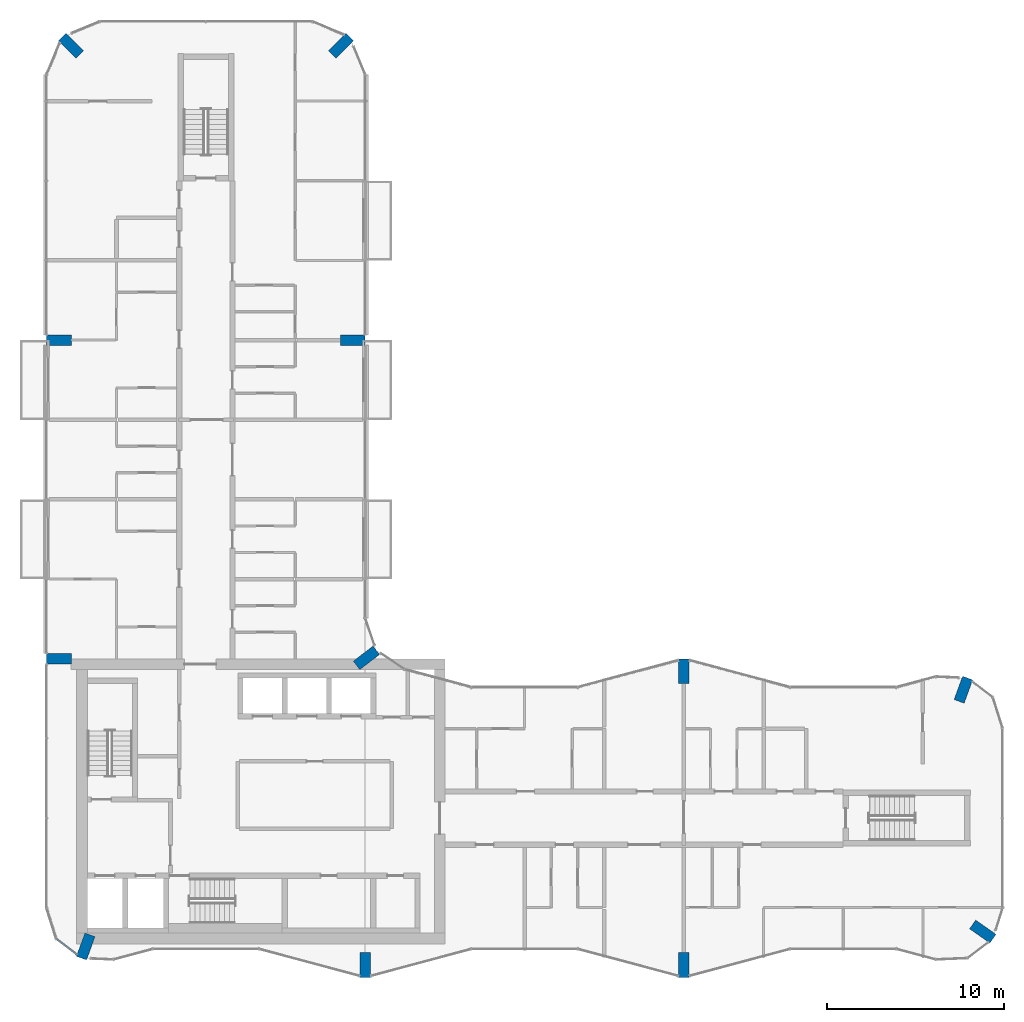
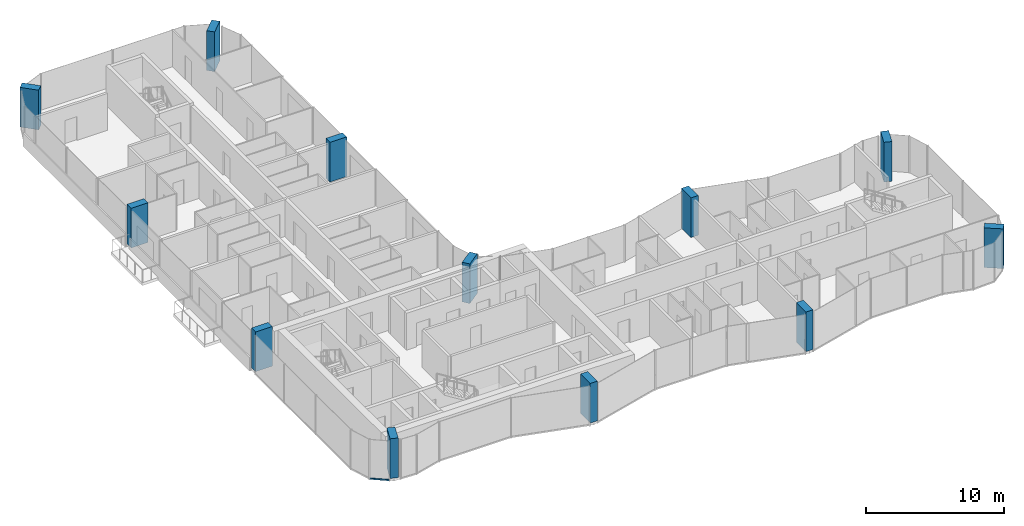
# One storey, part 1 of 17: 12 columns, 1 member, 1 element without a shape of its own.
"""IFC4 building model written with IfcOpenShell, lengths in metres."""

import ifcopenshell
import ifcopenshell.guid

model = None  # the IFC model being written
_history = None  # IfcOwnerHistory: only IFC2X3 demands one
_inside = {}  # id of a spatial element -> (the spatial element, [elements in it])
_under = {}  # id of a project, library or spatial element -> (it, [spatial elements below it])
_declared = {}  # id of a project -> (the project, [libraries it declares])
_typed = {}  # id of a type object -> (the type object, [elements of that type])
_made_of = {}  # id of a material, layer set ... -> (it, [elements and type objects made of it])


def new_model(schema):
    """Start an empty IFC model of exactly this schema.

    Asked for "IFC4X3", IfcOpenShell would pick the latest addendum, in which some entities
    have other attributes; the version numbers below select the first issue.
    IFC2X3 requires an IfcOwnerHistory on every rooted entity: one is made here for all.
    """
    global model, _history
    if schema == "IFC4X3":
        model = ifcopenshell.file(schema_version=(4, 3, 0, 0))
    else:
        model = ifcopenshell.file(schema=schema)
    _inside.clear()
    _under.clear()
    _declared.clear()
    _typed.clear()
    _made_of.clear()
    _history = None
    if model.schema == "IFC2X3":
        org = make("IfcOrganization", Name="unknown")
        user = make(
            "IfcPersonAndOrganization",
            ThePerson=make("IfcPerson", FamilyName="unknown"),
            TheOrganization=org,
        )
        app = make(
            "IfcApplication",
            ApplicationDeveloper=org,
            Version="unknown",
            ApplicationFullName="unknown",
            ApplicationIdentifier="unknown",
        )
        _history = make(
            "IfcOwnerHistory",
            OwningUser=user,
            OwningApplication=app,
            ChangeAction="ADDED",
            CreationDate=0,
        )
    return model


def make(cls, **values):
    """One entity of the class cls with the attributes given. An attribute that is None is left unset."""
    return model.create_entity(
        cls, **{name: value for name, value in values.items() if value is not None}
    )


def rooted(cls, **values):
    """An entity with a GlobalId (a new one), such as an element, a storey or a relation."""
    return make(cls, GlobalId=ifcopenshell.guid.new(), OwnerHistory=_history, **values)


def si_unit(unit_type, name, prefix=None):
    """IfcSIUnit, for example si_unit("LENGTHUNIT", "METRE", prefix="MILLI")."""
    return make("IfcSIUnit", UnitType=unit_type, Prefix=prefix, Name=name)


def assignment(units):
    """IfcUnitAssignment: the units of a project."""
    return None if units is None else make("IfcUnitAssignment", Units=units)


def point(xyz):
    """IfcCartesianPoint."""
    return None if xyz is None else make("IfcCartesianPoint", Coordinates=xyz)


def direction(xyz):
    """IfcDirection."""
    return None if xyz is None else make("IfcDirection", DirectionRatios=xyz)


def frame(location, z_axis=None, x_axis=None):
    """IfcAxis2Placement3D, a coordinate frame: its origin and axes. An axis left out is left unset."""
    return make(
        "IfcAxis2Placement3D",
        Location=point(location),
        Axis=direction(z_axis),
        RefDirection=direction(x_axis),
    )


def frame_2d(location, x_axis=None):
    """IfcAxis2Placement2D, a coordinate frame in the plane: its origin and x axis."""
    return make(
        "IfcAxis2Placement2D", Location=point(location), RefDirection=direction(x_axis)
    )


def origin():
    """The frame at (0, 0, 0) with its axes left unset."""
    return frame((0.0, 0.0, 0.0))


def origin_2d():
    """The frame at (0, 0) in the plane with its x axis left unset."""
    return frame_2d((0.0, 0.0))


def place(relative_to, where):
    """IfcLocalPlacement: puts the frame where relative to a parent placement (None: the world)."""
    return make(
        "IfcLocalPlacement", PlacementRelTo=relative_to, RelativePlacement=where
    )


def context(
    kind, dimensions, precision=None, world=None, true_north=None, identifier=None
):
    """IfcGeometricRepresentationContext, for example the 3D "Model" context."""
    return make(
        "IfcGeometricRepresentationContext",
        ContextIdentifier=identifier,
        ContextType=kind,
        CoordinateSpaceDimension=dimensions,
        Precision=precision,
        WorldCoordinateSystem=world,
        TrueNorth=true_north,
    )


def subcontext(parent, identifier, kind, view, scale=None):
    """IfcGeometricRepresentationSubContext, for example "Body" below "Model"."""
    return make(
        "IfcGeometricRepresentationSubContext",
        ContextIdentifier=identifier,
        ContextType=kind,
        ParentContext=parent,
        TargetScale=scale,
        TargetView=view,
    )


def project(units=None, contexts=None):
    """IfcProject with its units and contexts."""
    return rooted(
        "IfcProject",
        Name="project",
        RepresentationContexts=contexts,
        UnitsInContext=assignment(units),
    )


def spatial(cls, under=None, at=None, **own):
    """A site, building, storey or space (cls), placed at a placement, below another one or the project."""
    s = rooted(cls, ObjectPlacement=at, **own)
    if under is not None:
        _under.setdefault(under.id(), (under, []))[1].append(s)
    return s


def profile(cls, at=None, kind="AREA", **sizes):
    """A parametric profile (cls). Its sizes go by their IFC names, for example OverallWidth=200.0."""
    return make(cls, ProfileType=kind, Position=at, **sizes)


def rectangle(**sizes):
    """IfcRectangleProfileDef."""
    return profile("IfcRectangleProfileDef", **sizes)


def extrude(swept, where, along, depth):
    """IfcExtrudedAreaSolid: the profile swept, set in the frame where, extruded along a direction by depth."""
    return make(
        "IfcExtrudedAreaSolid",
        SweptArea=swept,
        Position=where,
        ExtrudedDirection=direction(along),
        Depth=depth,
    )


def shape(context_of_items, identifier, shape_type, items):
    """IfcShapeRepresentation: the items that make up one representation, for example the "Body"."""
    return make(
        "IfcShapeRepresentation",
        ContextOfItems=context_of_items,
        RepresentationIdentifier=identifier,
        RepresentationType=shape_type,
        Items=items,
    )


def material(Name=None, Category=None):
    """IfcMaterial."""
    return make("IfcMaterial", Name=Name, Category=Category)


def layer(
    of_material, thickness, ventilated=None, Name=None, Category=None, Priority=None
):
    """IfcMaterialLayer: one layer of a wall or slab, of a material (None: an air gap)."""
    return make(
        "IfcMaterialLayer",
        Material=of_material,
        LayerThickness=thickness,
        IsVentilated=ventilated,
        Name=Name,
        Category=Category,
        Priority=Priority,
    )


def layer_set(layers, Name=None):
    """IfcMaterialLayerSet."""
    return make("IfcMaterialLayerSet", MaterialLayers=layers, LayerSetName=Name)


def material_profile(
    of_material, cross_section, Name=None, Category=None, Priority=None
):
    """IfcMaterialProfile: a cross section and its material."""
    return make(
        "IfcMaterialProfile",
        Name=Name,
        Material=of_material,
        Profile=cross_section,
        Priority=Priority,
        Category=Category,
    )


def profile_set(profiles, Name=None, composite=None):
    """IfcMaterialProfileSet."""
    return make(
        "IfcMaterialProfileSet",
        Name=Name,
        MaterialProfiles=profiles,
        CompositeProfile=composite,
    )


def made_of(thing, what):
    """Note that an element or type object is made of a material, layer set ...; save() writes the relation."""
    if what is not None:
        _made_of.setdefault(what.id(), (what, []))[1].append(thing)
    return thing


def type_object(cls, material=None, **own):
    """A type object (cls), such as IfcWallType, which elements share."""
    return made_of(rooted(cls, **own), material)


def element(
    cls,
    number,
    at=None,
    inside=None,
    cuts=None,
    type_object=None,
    material=None,
    context=None,
    identifier="Body",
    shape_type=None,
    held_by="IfcProductDefinitionShape",
    body=None,
    shapes=None,
    **own,
):
    """One element of the class cls, such as IfcWall. Its Tag is "e" and its number.

    at: its placement. inside: the storey or other place that contains it. cuts: it is an
    opening in that element (IfcRelVoidsElement). A single representation is given by context,
    identifier, shape_type and body (its items); several are given by shapes. held_by: the class
    of the entity that holds the representations. save() writes the other relations.
    """
    e = rooted(cls, Tag="e%d" % number, ObjectPlacement=at, **own)
    if body is not None:
        shapes = [shape(context, identifier, shape_type, body)]
    if shapes is not None:
        e.Representation = make(held_by, Representations=shapes)
    if inside is not None:
        _inside.setdefault(inside.id(), (inside, []))[1].append(e)
    if cuts is not None:
        rooted(
            "IfcRelVoidsElement", RelatingBuildingElement=cuts, RelatedOpeningElement=e
        )
    if type_object is not None:
        _typed.setdefault(type_object.id(), (type_object, []))[1].append(e)
    return made_of(e, material)


def aggregate(whole, parts):
    """IfcRelAggregates: a whole, such as a stair, and the parts it consists of."""
    return rooted("IfcRelAggregates", RelatingObject=whole, RelatedObjects=parts)


def save(model, path):
    """Write the relations noted so far, then the file.

    IfcRelAggregates (storeys below a building ...), IfcRelContainedInSpatialStructure (elements
    in a storey), IfcRelDefinesByType, IfcRelAssociatesMaterial and IfcRelDeclares: one each for
    every whole, place, type object, material and project.
    """
    for whole, parts in _under.values():
        aggregate(whole, parts)
    for where, things in _inside.values():
        rooted(
            "IfcRelContainedInSpatialStructure",
            RelatedElements=things,
            RelatingStructure=where,
        )
    for kind, things in _typed.values():
        rooted("IfcRelDefinesByType", RelatedObjects=things, RelatingType=kind)
    for what, things in _made_of.values():
        rooted("IfcRelAssociatesMaterial", RelatedObjects=things, RelatingMaterial=what)
    for by, libraries in _declared.values():
        rooted("IfcRelDeclares", RelatingContext=by, RelatedDefinitions=libraries)
    model.write(path)


model = new_model("IFC4")

# Units and contexts
model_context = context("Model", 3, precision=1e-05, world=origin(), true_north=direction((0.0, 1.0)))
body_context = subcontext(model_context, "Body", "Model", "MODEL_VIEW")
ifc_project = project(units=[si_unit("LENGTHUNIT", "METRE"), si_unit("AREAUNIT", "SQUARE_METRE"), si_unit("VOLUMEUNIT", "CUBIC_METRE"), si_unit("PLANEANGLEUNIT", "RADIAN"), si_unit("MASSUNIT", "GRAM", prefix="KILO")], contexts=[model_context])

# Site, building, storey
site_placement = place(None, origin())
site = spatial("IfcSite", under=ifc_project, at=site_placement, CompositionType="ELEMENT")
building_placement = place(site_placement, origin())
building = spatial("IfcBuilding", under=site, at=building_placement, Name="Plateau Cross Towers", CompositionType="ELEMENT")
storey_placement = place(building_placement, frame((0.0, 0.0, 142.89990234375)))
storey = spatial("IfcBuildingStorey", under=building, at=storey_placement, Name="L36", CompositionType="ELEMENT", Elevation=142.89990234375)

# Columns
ifc_material_1 = material(Name="Concrete C60/75", Category="concrete")
ifc_material_profile_1 = material_profile(ifc_material_1, rectangle(XDim=0.60009765625, YDim=1.39990234375, at=origin_2d()), Name="RC 600x1400")
ifc_profile_set_1 = profile_set([ifc_material_profile_1], Name="Concrete C60/75")
column_type = type_object("IfcColumnType", Name="Fin pier column RC 600x1400", PredefinedType="COLUMN", material=ifc_profile_set_1)
for number, where, z_axis, x_axis, name in (
    (1, (18.0, 0.699951171875, 0.0), (0.0, 0.0, 1.0), (1.0, 0.0, 0.0), "PR1 L36"),
    (2, (36.0, 0.699951171875, 0.0), (0.0, 0.0, 1.0), (1.0, 0.0, 0.0), "PR2 L36"),
    (3, (52.884033203125, 2.590087890625, 0.0), (0.0, 0.0, 1.0), (0.573542637991, 0.819175709117, 0.0), "PR3 L36"),
    (4, (51.786865234375, 16.251953125, 0.0), (0.0, 0.0, 1.0), (-0.939664280925, 0.342097996418, 0.0), "PR4 L36"),
    (5, (36.0, 17.300048828125, 0.0), (0.0, 0.0, 1.0), (1.0, 0.0, 0.0), "PR5 L36"),
    (6, (18.064697265625, 18.049560546875, 0.0), (0.0, 0.0, 1.0), (-0.608810846443, 0.793315418515, 0.0), "PR6 L36"),
    (7, (17.300048828125, 36.0, 0.0), (0.0, 0.0, 1.0), (0.0, 1.0, 0.0), "PR7 L36"),
    (8, (16.62646484375, 52.62646484375, 0.0), (0.0, 0.0, 1.0), (-0.707106781187, 0.707106781187, 0.0), "PR8 L36"),
    (9, (1.37353515625, 52.62646484375, 0.0), (0.0, 0.0, 1.0), (0.707106781187, 0.707106781187, 0.0), "PR9 L36"),
    (10, (0.699951171875, 36.0, 0.0), (0.0, 0.0, 1.0), (0.0, 1.0, 0.0), "PR10 L36"),
    (11, (0.699951171875, 18.0, 0.0), (0.0, 0.0, 1.0), (0.0, 1.0, 0.0), "PR11 L36"),
    (12, (2.213134765625, 1.748046875, 0.0), (0.0, 0.0, 1.0), (-0.939664280925, 0.342097996418, 0.0), "PR12 L36"),
):
    element("IfcColumn", number, at=place(storey_placement, frame(where, z_axis=z_axis, x_axis=x_axis)), inside=storey, type_object=column_type, Name=name, PredefinedType="COLUMN", context=body_context, shape_type="SweptSolid", body=[
        extrude(rectangle(XDim=0.60009765625, YDim=1.39990234375, at=origin_2d()), origin(), (0.0, 0.0, 1.0), 3.5),
    ])

# Curtain wall, member
ifc_material_2 = material(Name="Dark low-iron glass", Category="glass")
ifc_layer = layer(ifc_material_2, 0.239990234375)
ifc_layer_set = layer_set([ifc_layer], Name="Dark low-iron glass")
curtain_wall_type = type_object("IfcCurtainWallType", Name="Curtain wall flush unitised CW-B", PredefinedType="NOTDEFINED", material=ifc_layer_set)
curtain_wall_placement = place(storey_placement, origin())
curtain_wall = element("IfcCurtainWall", 13, at=curtain_wall_placement, inside=storey, type_object=curtain_wall_type, Name="ENV/A/L36/A5_22", PredefinedType="NOTDEFINED")
ifc_material_3 = material(Name="Black anodised aluminium", Category="aluminium")
ifc_material_profile_2 = material_profile(ifc_material_3, rectangle(XDim=0.10009765625, YDim=0.1201171875, at=origin_2d()), Name="TRANSOM 100x120")
ifc_profile_set_2 = profile_set([ifc_material_profile_2], Name="Black anodised aluminium")
member_type = type_object("IfcMemberType", Name="Transom 100x120 flush unitised", PredefinedType="USERDEFINED", material=ifc_profile_set_2)
member_placement = place(storey_placement, frame((0.54248046875, 2.1884765625, -0.18994140625), z_axis=(0.793320508571, -0.608804213751, 0.0), x_axis=(0.608804213751, 0.793320508571, 0.0)))
member = element("IfcMember", 14, at=member_placement, type_object=member_type, Name="CW-B transom", ObjectType="TRANSOM", PredefinedType="USERDEFINED", context=body_context, shape_type="SweptSolid", body=[
    extrude(rectangle(XDim=0.10009765625, YDim=0.1201171875, at=origin_2d()), origin(), (0.0, 0.0, 1.0), 1.471435546875),
])
aggregate(curtain_wall, [member])

save(model, "model.ifc")
